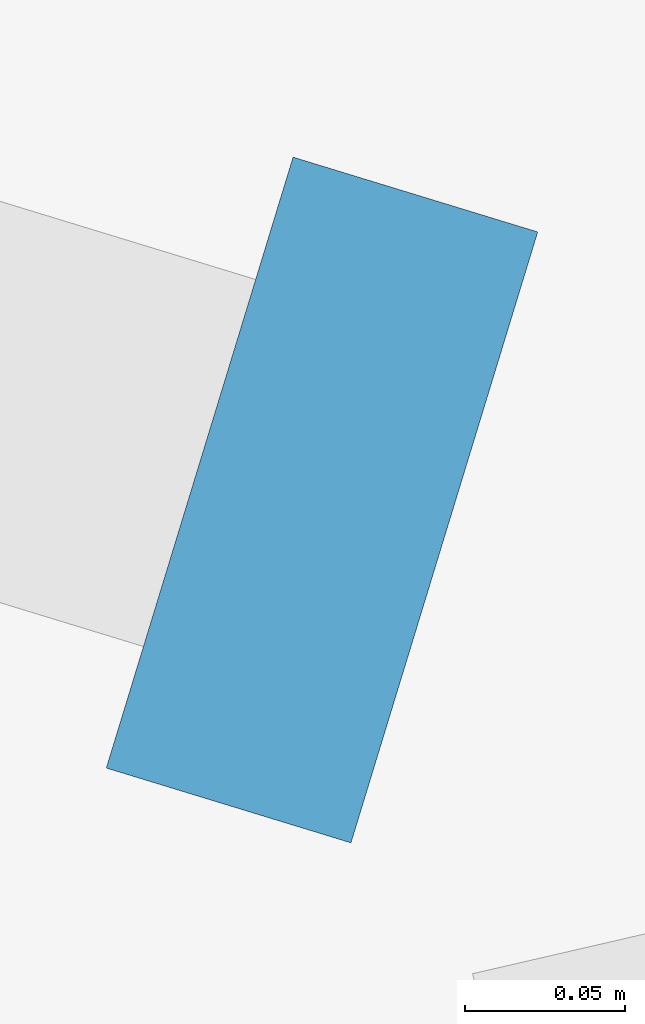
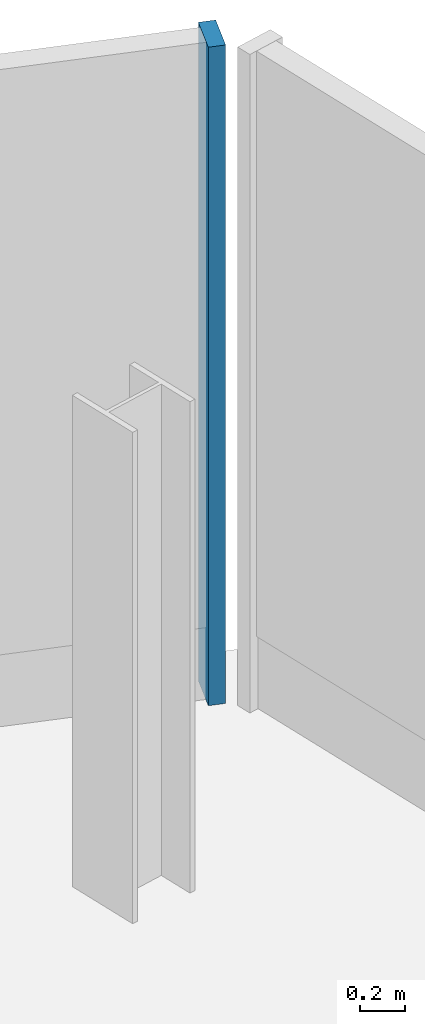
# One storey, part 10 of 31: 1 member, 1 element without a shape of its own.
"""IFC4 building model written with IfcOpenShell, lengths in metres."""

from ifc_helpers import new_model, si_unit, direction, frame, origin, origin_2d, place, context, subcontext, project, spatial, rectangle, extrude, source, transform, mapped, material, material_profile, profile_set, type_object, element, aggregate, save


model = new_model("IFC4")

# Units and contexts
model_context = context("Model", 3, precision=1e-05, world=origin(), true_north=direction((0.0, 1.0)))
body_context = subcontext(model_context, "Body", "Model", "MODEL_VIEW")
ifc_project = project(units=[si_unit("LENGTHUNIT", "METRE"), si_unit("AREAUNIT", "SQUARE_METRE"), si_unit("VOLUMEUNIT", "CUBIC_METRE"), si_unit("PLANEANGLEUNIT", "RADIAN"), si_unit("MASSUNIT", "GRAM", prefix="KILO")], contexts=[model_context])

# Site, building, storey
site_placement = place(None, origin())
site = spatial("IfcSite", under=ifc_project, at=site_placement, CompositionType="ELEMENT")
building_placement = place(site_placement, origin())
building = spatial("IfcBuilding", under=site, at=building_placement, Name="Triune Harvest Tower", CompositionType="ELEMENT")
storey_placement = place(building_placement, frame((0.0, 0.0, 134.300048828125)))
storey = spatial("IfcBuildingStorey", under=building, at=storey_placement, Name="L34", CompositionType="ELEMENT", Elevation=134.300048828125)

# Curtain wall, member
ifc_material_1 = material(Name="Aluminium bronze anodised", Category="aluminium")
curtain_wall_type = type_object("IfcCurtainWallType", Name="CW-5 Plant louvre wall", PredefinedType="NOTDEFINED", material=ifc_material_1)
curtain_wall_placement = place(storey_placement, origin())
curtain_wall = element("IfcCurtainWall", 1, at=curtain_wall_placement, inside=storey, type_object=curtain_wall_type, Name="CW-5 B3-F2 L34 run 1")
ifc_material_2 = material(Name="Aluminium bronze anodised", Category="aluminium")
ifc_material_profile = material_profile(ifc_material_2, rectangle(XDim=0.199951171875, YDim=0.080078125, at=origin_2d()), Name="MU-5 mullion 80 x 200")
ifc_profile_set = profile_set([ifc_material_profile], Name="Aluminium bronze anodised")
member_type = type_object("IfcMemberType", Name="MU-5 mullion 80 x 200", PredefinedType="MULLION", material=ifc_profile_set)
shared_shape = source(origin(), body_context, "Body", "SweptSolid", [
    extrude(rectangle(XDim=0.199951171875, YDim=0.080078125, at=origin_2d()), origin(), (0.0, 0.0, 1.0), 3.599853515625),
])
member_placement = place(storey_placement, frame((15.459716796875, 30.443115234375, 0.0), z_axis=(0.0, 0.0, 1.0), x_axis=(-0.292376962095, -0.956303148607, 0.0)))
member = element("IfcMember", 2, at=member_placement, type_object=member_type, Name="CW-5 mullion B3-F2 1.1", PredefinedType="MULLION", context=body_context, shape_type="MappedRepresentation", body=[
    mapped(shared_shape, transform((0.0, 0.0, 0.0), scale=1.0)),
])
aggregate(curtain_wall, [member])

save(model, "model.ifc")
